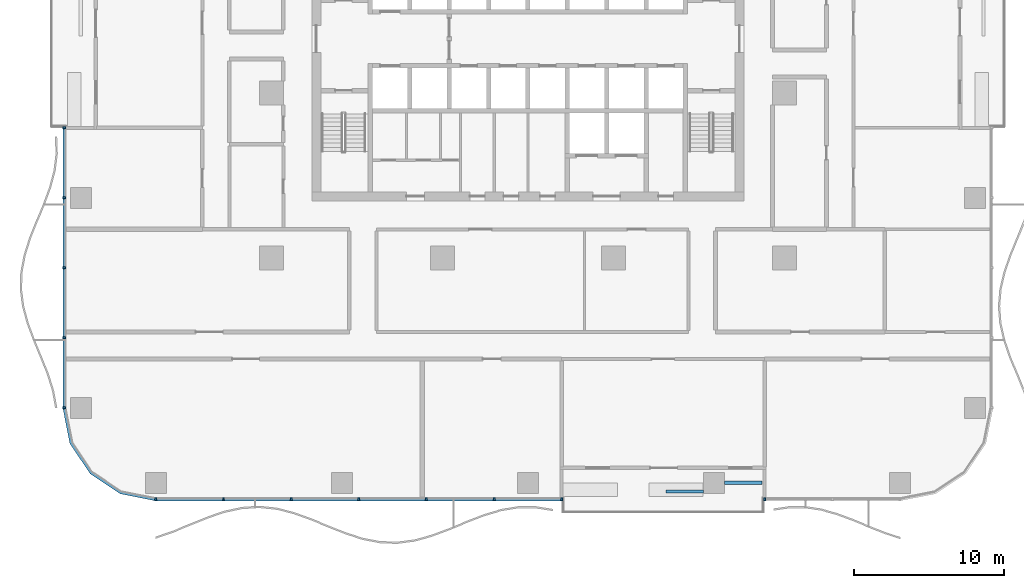
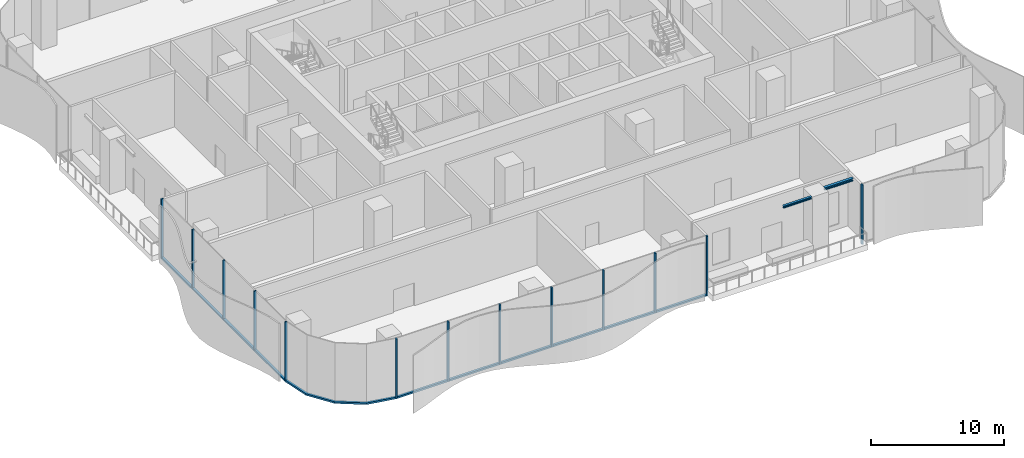
# One storey, part 2 of 21: 24 members, 2 beams, 4 elements without a shape of their own.
"""IFC4 building model written with IfcOpenShell, lengths in metres."""

import ifcopenshell
import ifcopenshell.guid

model = None  # the IFC model being written
_history = None  # IfcOwnerHistory: only IFC2X3 demands one
_inside = {}  # id of a spatial element -> (the spatial element, [elements in it])
_under = {}  # id of a project, library or spatial element -> (it, [spatial elements below it])
_declared = {}  # id of a project -> (the project, [libraries it declares])
_typed = {}  # id of a type object -> (the type object, [elements of that type])
_made_of = {}  # id of a material, layer set ... -> (it, [elements and type objects made of it])


def new_model(schema):
    """Start an empty IFC model of exactly this schema.

    Asked for "IFC4X3", IfcOpenShell would pick the latest addendum, in which some entities
    have other attributes; the version numbers below select the first issue.
    IFC2X3 requires an IfcOwnerHistory on every rooted entity: one is made here for all.
    """
    global model, _history
    if schema == "IFC4X3":
        model = ifcopenshell.file(schema_version=(4, 3, 0, 0))
    else:
        model = ifcopenshell.file(schema=schema)
    _inside.clear()
    _under.clear()
    _declared.clear()
    _typed.clear()
    _made_of.clear()
    _history = None
    if model.schema == "IFC2X3":
        org = make("IfcOrganization", Name="unknown")
        user = make(
            "IfcPersonAndOrganization",
            ThePerson=make("IfcPerson", FamilyName="unknown"),
            TheOrganization=org,
        )
        app = make(
            "IfcApplication",
            ApplicationDeveloper=org,
            Version="unknown",
            ApplicationFullName="unknown",
            ApplicationIdentifier="unknown",
        )
        _history = make(
            "IfcOwnerHistory",
            OwningUser=user,
            OwningApplication=app,
            ChangeAction="ADDED",
            CreationDate=0,
        )
    return model


def make(cls, **values):
    """One entity of the class cls with the attributes given. An attribute that is None is left unset."""
    return model.create_entity(
        cls, **{name: value for name, value in values.items() if value is not None}
    )


def rooted(cls, **values):
    """An entity with a GlobalId (a new one), such as an element, a storey or a relation."""
    return make(cls, GlobalId=ifcopenshell.guid.new(), OwnerHistory=_history, **values)


def si_unit(unit_type, name, prefix=None):
    """IfcSIUnit, for example si_unit("LENGTHUNIT", "METRE", prefix="MILLI")."""
    return make("IfcSIUnit", UnitType=unit_type, Prefix=prefix, Name=name)


def assignment(units):
    """IfcUnitAssignment: the units of a project."""
    return None if units is None else make("IfcUnitAssignment", Units=units)


def point(xyz):
    """IfcCartesianPoint."""
    return None if xyz is None else make("IfcCartesianPoint", Coordinates=xyz)


def direction(xyz):
    """IfcDirection."""
    return None if xyz is None else make("IfcDirection", DirectionRatios=xyz)


def frame(location, z_axis=None, x_axis=None):
    """IfcAxis2Placement3D, a coordinate frame: its origin and axes. An axis left out is left unset."""
    return make(
        "IfcAxis2Placement3D",
        Location=point(location),
        Axis=direction(z_axis),
        RefDirection=direction(x_axis),
    )


def frame_2d(location, x_axis=None):
    """IfcAxis2Placement2D, a coordinate frame in the plane: its origin and x axis."""
    return make(
        "IfcAxis2Placement2D", Location=point(location), RefDirection=direction(x_axis)
    )


def origin():
    """The frame at (0, 0, 0) with its axes left unset."""
    return frame((0.0, 0.0, 0.0))


def origin_2d():
    """The frame at (0, 0) in the plane with its x axis left unset."""
    return frame_2d((0.0, 0.0))


def place(relative_to, where):
    """IfcLocalPlacement: puts the frame where relative to a parent placement (None: the world)."""
    return make(
        "IfcLocalPlacement", PlacementRelTo=relative_to, RelativePlacement=where
    )


def context(
    kind, dimensions, precision=None, world=None, true_north=None, identifier=None
):
    """IfcGeometricRepresentationContext, for example the 3D "Model" context."""
    return make(
        "IfcGeometricRepresentationContext",
        ContextIdentifier=identifier,
        ContextType=kind,
        CoordinateSpaceDimension=dimensions,
        Precision=precision,
        WorldCoordinateSystem=world,
        TrueNorth=true_north,
    )


def subcontext(parent, identifier, kind, view, scale=None):
    """IfcGeometricRepresentationSubContext, for example "Body" below "Model"."""
    return make(
        "IfcGeometricRepresentationSubContext",
        ContextIdentifier=identifier,
        ContextType=kind,
        ParentContext=parent,
        TargetScale=scale,
        TargetView=view,
    )


def project(units=None, contexts=None):
    """IfcProject with its units and contexts."""
    return rooted(
        "IfcProject",
        Name="project",
        RepresentationContexts=contexts,
        UnitsInContext=assignment(units),
    )


def spatial(cls, under=None, at=None, **own):
    """A site, building, storey or space (cls), placed at a placement, below another one or the project."""
    s = rooted(cls, ObjectPlacement=at, **own)
    if under is not None:
        _under.setdefault(under.id(), (under, []))[1].append(s)
    return s


def polyline(points):
    """IfcPolyline through the points."""
    return make("IfcPolyline", Points=[point(p) for p in points])


def profile(cls, at=None, kind="AREA", **sizes):
    """A parametric profile (cls). Its sizes go by their IFC names, for example OverallWidth=200.0."""
    return make(cls, ProfileType=kind, Position=at, **sizes)


def rectangle(**sizes):
    """IfcRectangleProfileDef."""
    return profile("IfcRectangleProfileDef", **sizes)


def i_section(**sizes):
    """IfcIShapeProfileDef."""
    return profile("IfcIShapeProfileDef", **sizes)


def outline(outer, holes=None, kind="AREA"):
    """IfcArbitraryClosedProfileDef: a profile drawn as a closed curve; with holes, ...WithVoids."""
    if holes is None:
        return make("IfcArbitraryClosedProfileDef", ProfileType=kind, OuterCurve=outer)
    return make(
        "IfcArbitraryProfileDefWithVoids",
        ProfileType=kind,
        OuterCurve=outer,
        InnerCurves=holes,
    )


def extrude(swept, where, along, depth):
    """IfcExtrudedAreaSolid: the profile swept, set in the frame where, extruded along a direction by depth."""
    return make(
        "IfcExtrudedAreaSolid",
        SweptArea=swept,
        Position=where,
        ExtrudedDirection=direction(along),
        Depth=depth,
    )


def shape(context_of_items, identifier, shape_type, items):
    """IfcShapeRepresentation: the items that make up one representation, for example the "Body"."""
    return make(
        "IfcShapeRepresentation",
        ContextOfItems=context_of_items,
        RepresentationIdentifier=identifier,
        RepresentationType=shape_type,
        Items=items,
    )


def material(Name=None, Category=None):
    """IfcMaterial."""
    return make("IfcMaterial", Name=Name, Category=Category)


def material_profile(
    of_material, cross_section, Name=None, Category=None, Priority=None
):
    """IfcMaterialProfile: a cross section and its material."""
    return make(
        "IfcMaterialProfile",
        Name=Name,
        Material=of_material,
        Profile=cross_section,
        Priority=Priority,
        Category=Category,
    )


def profile_set(profiles, Name=None, composite=None):
    """IfcMaterialProfileSet."""
    return make(
        "IfcMaterialProfileSet",
        Name=Name,
        MaterialProfiles=profiles,
        CompositeProfile=composite,
    )


def made_of(thing, what):
    """Note that an element or type object is made of a material, layer set ...; save() writes the relation."""
    if what is not None:
        _made_of.setdefault(what.id(), (what, []))[1].append(thing)
    return thing


def type_object(cls, material=None, **own):
    """A type object (cls), such as IfcWallType, which elements share."""
    return made_of(rooted(cls, **own), material)


def element(
    cls,
    number,
    at=None,
    inside=None,
    cuts=None,
    type_object=None,
    material=None,
    context=None,
    identifier="Body",
    shape_type=None,
    held_by="IfcProductDefinitionShape",
    body=None,
    shapes=None,
    **own,
):
    """One element of the class cls, such as IfcWall. Its Tag is "e" and its number.

    at: its placement. inside: the storey or other place that contains it. cuts: it is an
    opening in that element (IfcRelVoidsElement). A single representation is given by context,
    identifier, shape_type and body (its items); several are given by shapes. held_by: the class
    of the entity that holds the representations. save() writes the other relations.
    """
    e = rooted(cls, Tag="e%d" % number, ObjectPlacement=at, **own)
    if body is not None:
        shapes = [shape(context, identifier, shape_type, body)]
    if shapes is not None:
        e.Representation = make(held_by, Representations=shapes)
    if inside is not None:
        _inside.setdefault(inside.id(), (inside, []))[1].append(e)
    if cuts is not None:
        rooted(
            "IfcRelVoidsElement", RelatingBuildingElement=cuts, RelatedOpeningElement=e
        )
    if type_object is not None:
        _typed.setdefault(type_object.id(), (type_object, []))[1].append(e)
    return made_of(e, material)


def aggregate(whole, parts):
    """IfcRelAggregates: a whole, such as a stair, and the parts it consists of."""
    return rooted("IfcRelAggregates", RelatingObject=whole, RelatedObjects=parts)


def save(model, path):
    """Write the relations noted so far, then the file.

    IfcRelAggregates (storeys below a building ...), IfcRelContainedInSpatialStructure (elements
    in a storey), IfcRelDefinesByType, IfcRelAssociatesMaterial and IfcRelDeclares: one each for
    every whole, place, type object, material and project.
    """
    for whole, parts in _under.values():
        aggregate(whole, parts)
    for where, things in _inside.values():
        rooted(
            "IfcRelContainedInSpatialStructure",
            RelatedElements=things,
            RelatingStructure=where,
        )
    for kind, things in _typed.values():
        rooted("IfcRelDefinesByType", RelatedObjects=things, RelatingType=kind)
    for what, things in _made_of.values():
        rooted("IfcRelAssociatesMaterial", RelatedObjects=things, RelatingMaterial=what)
    for by, libraries in _declared.values():
        rooted("IfcRelDeclares", RelatingContext=by, RelatedDefinitions=libraries)
    model.write(path)


model = new_model("IFC4")

# Units and contexts
model_context = context("Model", 3, precision=1e-05, world=origin(), true_north=direction((0.0, 1.0)))
body_context = subcontext(model_context, "Body", "Model", "MODEL_VIEW")
ifc_project = project(units=[si_unit("LENGTHUNIT", "METRE"), si_unit("AREAUNIT", "SQUARE_METRE"), si_unit("VOLUMEUNIT", "CUBIC_METRE"), si_unit("PLANEANGLEUNIT", "RADIAN"), si_unit("MASSUNIT", "GRAM", prefix="KILO")], contexts=[model_context])

# Site, building, storey
site_placement = place(None, origin())
site = spatial("IfcSite", under=ifc_project, at=site_placement, CompositionType="ELEMENT")
building_placement = place(site_placement, origin())
building = spatial("IfcBuilding", under=site, at=building_placement, Name="Mopane Tessera Tower", CompositionType="ELEMENT")
storey_placement = place(building_placement, frame((0.0, 0.0, 20.0)))
storey = spatial("IfcBuildingStorey", under=building, at=storey_placement, Name="L03", CompositionType="ELEMENT", Elevation=20.0)

# Curtain wall, members
ifc_material_1 = material(Name="Aluminium frame", Category="aluminium")
curtain_wall_type = type_object("IfcCurtainWallType", Name="Podium unitised wall", PredefinedType="NOTDEFINED", material=ifc_material_1)
curtain_wall_1_placement = place(storey_placement, origin())
curtain_wall_1 = element("IfcCurtainWall", 1, at=curtain_wall_1_placement, inside=storey, type_object=curtain_wall_type, Name="e:cw:L03:S:0", PredefinedType="NOTDEFINED")
ifc_material_2 = material(Name="Aluminium frame", Category="aluminium")
ifc_material_profile_1 = material_profile(ifc_material_2, rectangle(XDim=0.125, YDim=0.199951171875, at=origin_2d()))
ifc_profile_set_1 = profile_set([ifc_material_profile_1], Name="Aluminium frame")
member_type_1 = type_object("IfcMemberType", Name="Aluminium mullion 125 x 200", PredefinedType="MULLION", material=ifc_profile_set_1)
member_1_placement = place(storey_placement, frame((-24.800048828125, -27.10009765625, -0.5), z_axis=(0.0, 0.0, 1.0), x_axis=(1.0, 0.0, 0.0)))
member_1 = element("IfcMember", 2, at=member_1_placement, type_object=member_type_1, Name="e:cw:L03:S:0:mu0", PredefinedType="MULLION", context=body_context, shape_type="SweptSolid", body=[
    extrude(rectangle(XDim=0.125, YDim=0.199951171875, at=origin_2d()), origin(), (0.0, 0.0, 1.0), 5.5),
])
member_2_placement = place(storey_placement, frame((-20.291015625, -27.10009765625, -0.5), z_axis=(0.0, 0.0, 1.0), x_axis=(1.0, 0.0, 0.0)))
member_2 = element("IfcMember", 3, at=member_2_placement, type_object=member_type_1, Name="e:cw:L03:S:0:mu1", PredefinedType="MULLION", context=body_context, shape_type="SweptSolid", body=[
    extrude(rectangle(XDim=0.125, YDim=0.199951171875, at=origin_2d()), origin(), (0.0, 0.0, 1.0), 5.5),
])
member_3_placement = place(storey_placement, frame((-15.78173828125, -27.10009765625, -0.5), z_axis=(0.0, 0.0, 1.0), x_axis=(1.0, 0.0, 0.0)))
member_3 = element("IfcMember", 4, at=member_3_placement, type_object=member_type_1, Name="e:cw:L03:S:0:mu2", PredefinedType="MULLION", context=body_context, shape_type="SweptSolid", body=[
    extrude(rectangle(XDim=0.125, YDim=0.199951171875, at=origin_2d()), origin(), (0.0, 0.0, 1.0), 5.5),
])
member_4_placement = place(storey_placement, frame((-11.272705078125, -27.10009765625, -0.5), z_axis=(0.0, 0.0, 1.0), x_axis=(1.0, 0.0, 0.0)))
member_4 = element("IfcMember", 5, at=member_4_placement, type_object=member_type_1, Name="e:cw:L03:S:0:mu3", PredefinedType="MULLION", context=body_context, shape_type="SweptSolid", body=[
    extrude(rectangle(XDim=0.125, YDim=0.199951171875, at=origin_2d()), origin(), (0.0, 0.0, 1.0), 5.5),
])
member_5_placement = place(storey_placement, frame((-6.763671875, -27.10009765625, -0.5), z_axis=(0.0, 0.0, 1.0), x_axis=(1.0, 0.0, 0.0)))
member_5 = element("IfcMember", 6, at=member_5_placement, type_object=member_type_1, Name="e:cw:L03:S:0:mu4", PredefinedType="MULLION", context=body_context, shape_type="SweptSolid", body=[
    extrude(rectangle(XDim=0.125, YDim=0.199951171875, at=origin_2d()), origin(), (0.0, 0.0, 1.0), 5.5),
])
member_6_placement = place(storey_placement, frame((-2.254638671875, -27.10009765625, -0.5), z_axis=(0.0, 0.0, 1.0), x_axis=(1.0, 0.0, 0.0)))
member_6 = element("IfcMember", 7, at=member_6_placement, type_object=member_type_1, Name="e:cw:L03:S:0:mu5", PredefinedType="MULLION", context=body_context, shape_type="SweptSolid", body=[
    extrude(rectangle(XDim=0.125, YDim=0.199951171875, at=origin_2d()), origin(), (0.0, 0.0, 1.0), 5.5),
])
member_7_placement = place(storey_placement, frame((2.254638671875, -27.10009765625, -0.5), z_axis=(0.0, 0.0, 1.0), x_axis=(1.0, 0.0, 0.0)))
member_7 = element("IfcMember", 8, at=member_7_placement, type_object=member_type_1, Name="e:cw:L03:S:0:mu6", PredefinedType="MULLION", context=body_context, shape_type="SweptSolid", body=[
    extrude(rectangle(XDim=0.125, YDim=0.199951171875, at=origin_2d()), origin(), (0.0, 0.0, 1.0), 5.5),
])

# Curtain wall, member
curtain_wall_2_placement = place(storey_placement, origin())
curtain_wall_2 = element("IfcCurtainWall", 9, at=curtain_wall_2_placement, inside=storey, type_object=curtain_wall_type, Name="e:cw:L03:S:9", PredefinedType="NOTDEFINED")
member_8_placement = place(storey_placement, frame((15.78173828125, -27.10009765625, -0.5), z_axis=(0.0, 0.0, 1.0), x_axis=(1.0, 0.0, 0.0)))
member_8 = element("IfcMember", 10, at=member_8_placement, type_object=member_type_1, Name="e:cw:L03:S:9:mu9", PredefinedType="MULLION", context=body_context, shape_type="SweptSolid", body=[
    extrude(rectangle(XDim=0.125, YDim=0.199951171875, at=origin_2d()), origin(), (0.0, 0.0, 1.0), 5.5),
])
aggregate(curtain_wall_2, [member_8])

# Curtain wall, members
curtain_wall_3_placement = place(storey_placement, origin())
curtain_wall_3 = element("IfcCurtainWall", 11, at=curtain_wall_3_placement, inside=storey, type_object=curtain_wall_type, Name="e:cw:L03:W:5", PredefinedType="NOTDEFINED")
member_9_placement = place(storey_placement, frame((-30.89990234375, -2.333251953125, -0.5), z_axis=(0.0, 0.0, 1.0), x_axis=(0.0, -1.0, 0.0)))
member_9 = element("IfcMember", 12, at=member_9_placement, type_object=member_type_1, Name="e:cw:L03:W:5:mu5", PredefinedType="MULLION", context=body_context, shape_type="SweptSolid", body=[
    extrude(rectangle(XDim=0.125, YDim=0.199951171875, at=origin_2d()), origin(), (0.0, 0.0, 1.0), 5.5),
])
member_10_placement = place(storey_placement, frame((-30.89990234375, -7.0, -0.5), z_axis=(0.0, 0.0, 1.0), x_axis=(0.0, -1.0, 0.0)))
member_10 = element("IfcMember", 13, at=member_10_placement, type_object=member_type_1, Name="e:cw:L03:W:5:mu6", PredefinedType="MULLION", context=body_context, shape_type="SweptSolid", body=[
    extrude(rectangle(XDim=0.125, YDim=0.199951171875, at=origin_2d()), origin(), (0.0, 0.0, 1.0), 5.5),
])
member_11_placement = place(storey_placement, frame((-30.89990234375, -11.666748046875, -0.5), z_axis=(0.0, 0.0, 1.0), x_axis=(0.0, -1.0, 0.0)))
member_11 = element("IfcMember", 14, at=member_11_placement, type_object=member_type_1, Name="e:cw:L03:W:5:mu7", PredefinedType="MULLION", context=body_context, shape_type="SweptSolid", body=[
    extrude(rectangle(XDim=0.125, YDim=0.199951171875, at=origin_2d()), origin(), (0.0, 0.0, 1.0), 5.5),
])
member_12_placement = place(storey_placement, frame((-30.89990234375, -16.333251953125, -0.5), z_axis=(0.0, 0.0, 1.0), x_axis=(0.0, -1.0, 0.0)))
member_12 = element("IfcMember", 15, at=member_12_placement, type_object=member_type_1, Name="e:cw:L03:W:5:mu8", PredefinedType="MULLION", context=body_context, shape_type="SweptSolid", body=[
    extrude(rectangle(XDim=0.125, YDim=0.199951171875, at=origin_2d()), origin(), (0.0, 0.0, 1.0), 5.5),
])
member_13_placement = place(storey_placement, frame((-30.89990234375, -21.0, -0.5), z_axis=(0.0, 0.0, 1.0), x_axis=(0.0, -1.0, 0.0)))
member_13 = element("IfcMember", 16, at=member_13_placement, type_object=member_type_1, Name="e:cw:L03:W:5:mu9", PredefinedType="MULLION", context=body_context, shape_type="SweptSolid", body=[
    extrude(rectangle(XDim=0.125, YDim=0.199951171875, at=origin_2d()), origin(), (0.0, 0.0, 1.0), 5.5),
])

# Member
ifc_material_3 = material(Name="Aluminium frame", Category="aluminium")
ifc_material_profile_2 = material_profile(ifc_material_3, rectangle(XDim=0.199951171875, YDim=0.159912109375, at=origin_2d()))
ifc_profile_set_2 = profile_set([ifc_material_profile_2], Name="Aluminium frame")
member_type_2 = type_object("IfcMemberType", Name="Aluminium transom 200 x 160", PredefinedType="USERDEFINED", material=ifc_profile_set_2)
member_14_placement = place(storey_placement, frame((-24.737548828125, -27.10009765625, -0.419921875), z_axis=(1.0, 0.0, 0.0), x_axis=(0.0, 1.0, 0.0)))
member_14 = element("IfcMember", 17, at=member_14_placement, type_object=member_type_2, Name="e:cw:L03:S:0:tr0", ObjectType="TRANSOM", PredefinedType="USERDEFINED", context=body_context, shape_type="SweptSolid", body=[
    extrude(rectangle(XDim=0.199951171875, YDim=0.159912109375, at=origin_2d()), origin(), (0.0, 0.0, 1.0), 4.384033203125),
])

member_15_placement = place(storey_placement, frame((-20.228515625, -27.10009765625, -0.419921875), z_axis=(1.0, 0.0, 0.0), x_axis=(0.0, 1.0, 0.0)))
member_15 = element("IfcMember", 18, at=member_15_placement, type_object=member_type_2, Name="e:cw:L03:S:0:tr1", ObjectType="TRANSOM", PredefinedType="USERDEFINED", context=body_context, shape_type="SweptSolid", body=[
    extrude(rectangle(XDim=0.199951171875, YDim=0.159912109375, at=origin_2d()), origin(), (0.0, 0.0, 1.0), 4.38427734375),
])

member_16_placement = place(storey_placement, frame((-15.71923828125, -27.10009765625, -0.419921875), z_axis=(1.0, 0.0, 0.0), x_axis=(0.0, 1.0, 0.0)))
member_16 = element("IfcMember", 19, at=member_16_placement, type_object=member_type_2, Name="e:cw:L03:S:0:tr2", ObjectType="TRANSOM", PredefinedType="USERDEFINED", context=body_context, shape_type="SweptSolid", body=[
    extrude(rectangle(XDim=0.199951171875, YDim=0.159912109375, at=origin_2d()), origin(), (0.0, 0.0, 1.0), 4.384033203125),
])

member_17_placement = place(storey_placement, frame((-11.210205078125, -27.10009765625, -0.419921875), z_axis=(1.0, 0.0, 0.0), x_axis=(0.0, 1.0, 0.0)))
member_17 = element("IfcMember", 20, at=member_17_placement, type_object=member_type_2, Name="e:cw:L03:S:0:tr3", ObjectType="TRANSOM", PredefinedType="USERDEFINED", context=body_context, shape_type="SweptSolid", body=[
    extrude(rectangle(XDim=0.199951171875, YDim=0.159912109375, at=origin_2d()), origin(), (0.0, 0.0, 1.0), 4.384033203125),
])

member_18_placement = place(storey_placement, frame((-6.701171875, -27.10009765625, -0.419921875), z_axis=(1.0, 0.0, 0.0), x_axis=(0.0, 1.0, 0.0)))
member_18 = element("IfcMember", 21, at=member_18_placement, type_object=member_type_2, Name="e:cw:L03:S:0:tr4", ObjectType="TRANSOM", PredefinedType="USERDEFINED", context=body_context, shape_type="SweptSolid", body=[
    extrude(rectangle(XDim=0.199951171875, YDim=0.159912109375, at=origin_2d()), origin(), (0.0, 0.0, 1.0), 4.384033203125),
])

member_19_placement = place(storey_placement, frame((-2.192138671875, -27.10009765625, -0.419921875), z_axis=(1.0, 0.0, 0.0), x_axis=(0.0, 1.0, 0.0)))
member_19 = element("IfcMember", 22, at=member_19_placement, type_object=member_type_2, Name="e:cw:L03:S:0:tr5", ObjectType="TRANSOM", PredefinedType="USERDEFINED", context=body_context, shape_type="SweptSolid", body=[
    extrude(rectangle(XDim=0.199951171875, YDim=0.159912109375, at=origin_2d()), origin(), (0.0, 0.0, 1.0), 4.38427734375),
])

aggregate(curtain_wall_1, [member_1, member_2, member_3, member_4, member_5, member_6, member_7, member_14, member_15, member_16, member_17, member_18, member_19])

member_20_placement = place(storey_placement, frame((-30.89990234375, -2.395751953125, -0.419921875), z_axis=(0.0, -1.0, 0.0), x_axis=(1.0, 0.0, 0.0)))
member_20 = element("IfcMember", 23, at=member_20_placement, type_object=member_type_2, Name="e:cw:L03:W:5:tr5", ObjectType="TRANSOM", PredefinedType="USERDEFINED", context=body_context, shape_type="SweptSolid", body=[
    extrude(rectangle(XDim=0.199951171875, YDim=0.159912109375, at=origin_2d()), origin(), (0.0, 0.0, 1.0), 4.541748046875),
])

member_21_placement = place(storey_placement, frame((-30.89990234375, -7.0625, -0.419921875), z_axis=(0.0, -1.0, 0.0), x_axis=(1.0, 0.0, 0.0)))
member_21 = element("IfcMember", 24, at=member_21_placement, type_object=member_type_2, Name="e:cw:L03:W:5:tr6", ObjectType="TRANSOM", PredefinedType="USERDEFINED", context=body_context, shape_type="SweptSolid", body=[
    extrude(rectangle(XDim=0.199951171875, YDim=0.159912109375, at=origin_2d()), origin(), (0.0, 0.0, 1.0), 4.541748046875),
])

member_22_placement = place(storey_placement, frame((-30.89990234375, -11.729248046875, -0.419921875), z_axis=(0.0, -1.0, 0.0), x_axis=(1.0, 0.0, 0.0)))
member_22 = element("IfcMember", 25, at=member_22_placement, type_object=member_type_2, Name="e:cw:L03:W:5:tr7", ObjectType="TRANSOM", PredefinedType="USERDEFINED", context=body_context, shape_type="SweptSolid", body=[
    extrude(rectangle(XDim=0.199951171875, YDim=0.159912109375, at=origin_2d()), origin(), (0.0, 0.0, 1.0), 4.54150390625),
])

member_23_placement = place(storey_placement, frame((-30.89990234375, -16.395751953125, -0.419921875), z_axis=(0.0, -1.0, 0.0), x_axis=(1.0, 0.0, 0.0)))
member_23 = element("IfcMember", 26, at=member_23_placement, type_object=member_type_2, Name="e:cw:L03:W:5:tr8", ObjectType="TRANSOM", PredefinedType="USERDEFINED", context=body_context, shape_type="SweptSolid", body=[
    extrude(rectangle(XDim=0.199951171875, YDim=0.159912109375, at=origin_2d()), origin(), (0.0, 0.0, 1.0), 4.541748046875),
])

aggregate(curtain_wall_3, [member_9, member_10, member_11, member_12, member_13, member_20, member_21, member_22, member_23])

# Curtain wall, member
curtain_wall_4_placement = place(storey_placement, origin())
curtain_wall_4 = element("IfcCurtainWall", 27, at=curtain_wall_4_placement, inside=storey, type_object=curtain_wall_type, Name="e:cw:L03:CW", PredefinedType="NOTDEFINED")
member_24_placement = place(storey_placement, frame((0.0, 0.0, -0.5)))
member_24 = element("IfcMember", 28, at=member_24_placement, type_object=member_type_2, Name="e:cw:L03:CW:tr", ObjectType="TRANSOM", PredefinedType="USERDEFINED", context=body_context, shape_type="SweptSolid", body=[
    extrude(outline(polyline([(-30.800048828125, -21.0), (-30.34326171875, -23.296142578125), (-29.042724609375, -25.24267578125), (-27.09619140625, -26.543212890625), (-24.800048828125, -27.0), (-24.800048828125, -27.199951171875), (-27.172607421875, -26.72802734375), (-29.18408203125, -25.384033203125), (-30.528076171875, -23.37255859375), (-31.0, -21.0), (-30.800048828125, -21.0)])), origin(), (0.0, 0.0, 1.0), 0.159912109375),
])
aggregate(curtain_wall_4, [member_24])

# Beams
ifc_material_4 = material(Name="Structural steel S460", Category="steel")
ifc_material_profile_3 = material_profile(ifc_material_4, i_section(OverallWidth=0.239990234375, OverallDepth=0.239990234375, WebThickness=0.010009765625, FlangeThickness=0.01708984375, FilletRadius=0.02099609375, at=origin_2d()))
ifc_profile_set_3 = profile_set([ifc_material_profile_3], Name="Structural steel S460")
beam_type_1 = type_object("IfcBeamType", Name="Terrace spandrel beam HE 240 B", PredefinedType="SPANDREL", material=ifc_profile_set_3)
beam_1_placement = place(storey_placement, frame((13.102783203125, -26.0, 4.8798828125), z_axis=(1.0, 0.0, 0.0), x_axis=(0.0, 1.0, 0.0)))
element("IfcBeam", 29, at=beam_1_placement, inside=storey, type_object=beam_type_1, Name="Terrace spandrel beam N1 L04", PredefinedType="SPANDREL", context=body_context, shape_type="SweptSolid", body=[
    extrude(i_section(OverallWidth=0.239990234375, OverallDepth=0.239990234375, WebThickness=0.010009765625, FlangeThickness=0.01708984375, FilletRadius=0.02099609375, at=origin_2d()), origin(), (0.0, 0.0, 1.0), 2.5),
])
ifc_material_5 = material(Name="Structural steel S460", Category="steel")
ifc_material_profile_4 = material_profile(ifc_material_5, i_section(OverallWidth=0.199951171875, OverallDepth=0.199951171875, WebThickness=0.009033203125, FlangeThickness=0.014892578125, FilletRadius=0.01806640625, at=origin_2d()))
ifc_profile_set_4 = profile_set([ifc_material_profile_4], Name="Structural steel S460")
beam_type_2 = type_object("IfcBeamType", Name="Terrace trimmer beam HE 200 B", PredefinedType="BEAM", material=ifc_profile_set_4)
beam_2_placement = place(storey_placement, frame((11.697021484375, -26.56005859375, 4.89990234375), z_axis=(-1.0, 0.0, 0.0), x_axis=(0.0, -1.0, 0.0)))
element("IfcBeam", 30, at=beam_2_placement, inside=storey, type_object=beam_type_2, Name="Terrace trimmer beam N1 L04", PredefinedType="BEAM", context=body_context, shape_type="SweptSolid", body=[
    extrude(i_section(OverallWidth=0.199951171875, OverallDepth=0.199951171875, WebThickness=0.009033203125, FlangeThickness=0.014892578125, FilletRadius=0.01806640625, at=origin_2d()), origin(), (0.0, 0.0, 1.0), 2.5),
])

save(model, "model.ifc")
